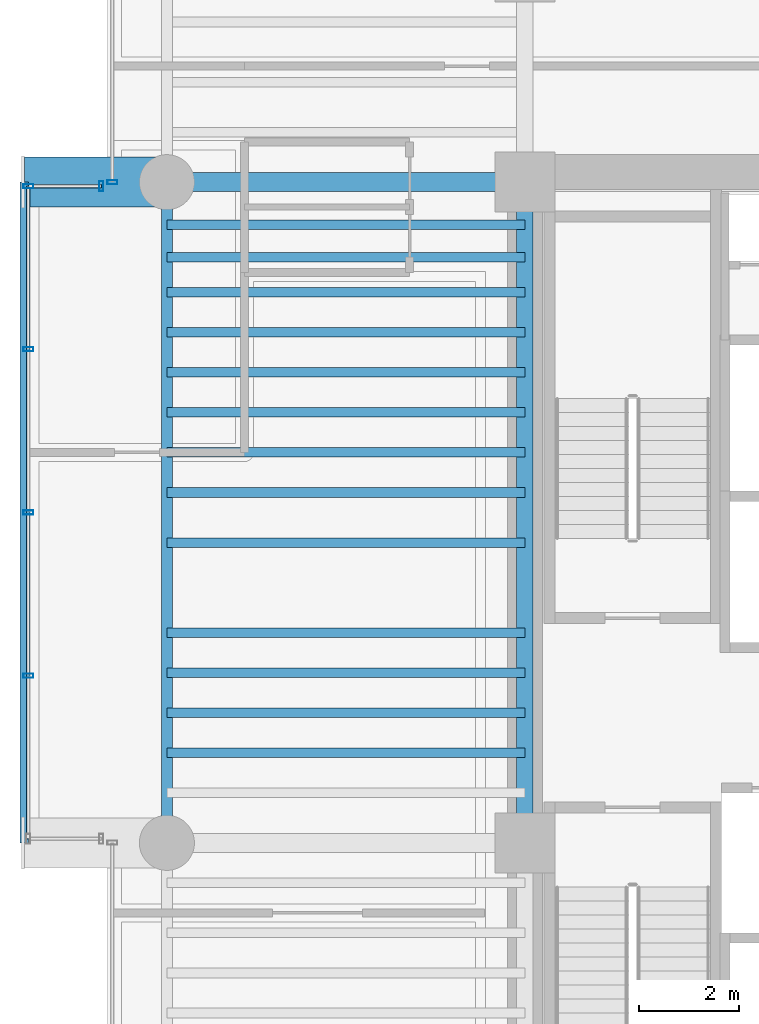
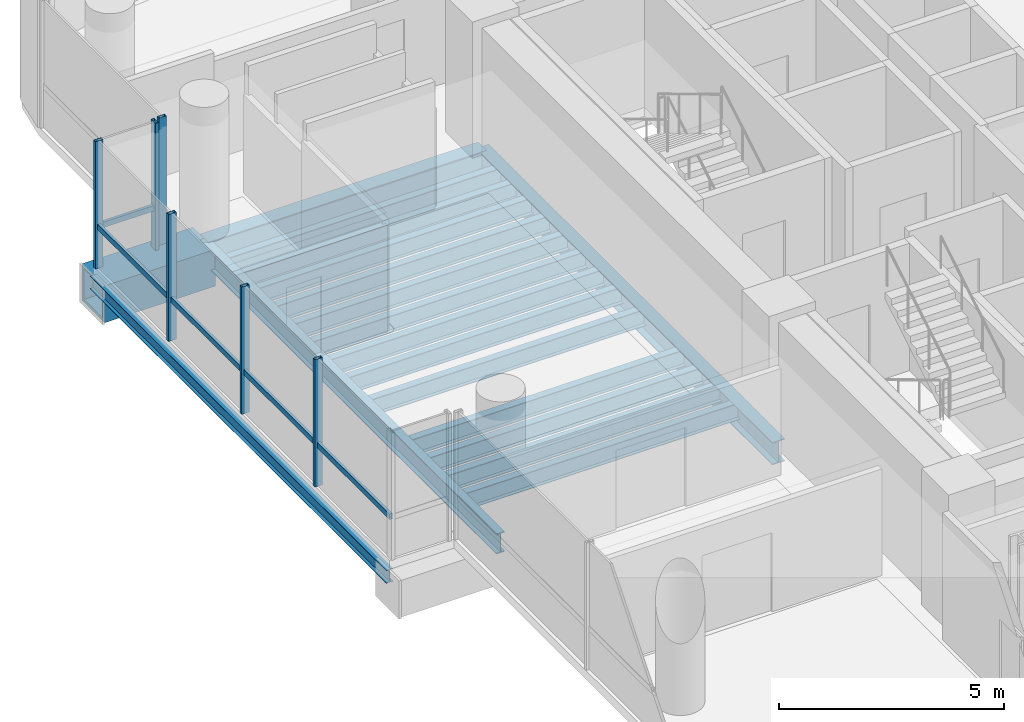
# One storey, part 7 of 34: 18 beams, 8 members, 3 elements without a shape of their own.
"""IFC4 building model written with IfcOpenShell, lengths in metres."""

from ifc_helpers import new_model, si_unit, direction, frame, origin, origin_2d, place, context, subcontext, project, spatial, hollow_rectangle, i_section, extrude, source, transform, mapped, material, material_profile, profile_set, type_object, element, aggregate, save


model = new_model("IFC4")

# Units and contexts
model_context = context("Model", 3, precision=1e-05, world=origin(), true_north=direction((0.0, 1.0)))
body_context = subcontext(model_context, "Body", "Model", "MODEL_VIEW")
ifc_project = project(units=[si_unit("LENGTHUNIT", "METRE"), si_unit("AREAUNIT", "SQUARE_METRE"), si_unit("VOLUMEUNIT", "CUBIC_METRE"), si_unit("PLANEANGLEUNIT", "RADIAN"), si_unit("MASSUNIT", "GRAM", prefix="KILO")], contexts=[model_context])

# Site, building, storey
site_placement = place(None, origin())
site = spatial("IfcSite", under=ifc_project, at=site_placement, CompositionType="ELEMENT")
building_placement = place(site_placement, origin())
building = spatial("IfcBuilding", under=site, at=building_placement, Name="Valdorenza Pilgrim Sanctuary Tower", CompositionType="ELEMENT")
storey_placement = place(building_placement, frame((0.0, 0.0, 146.39990234375)))
storey = spatial("IfcBuildingStorey", under=building, at=storey_placement, Name="L37", CompositionType="ELEMENT", Elevation=146.39990234375)

# Beams
ifc_material_1 = material(Name="Steel ASTM A992 Grade 50", Category="steel")
ifc_material_profile_1 = material_profile(ifc_material_1, i_section(OverallWidth=0.214111328125, OverallDepth=0.549072265625, WebThickness=0.0146484375, FlangeThickness=0.023681640625, at=origin_2d()), Name="W21X93")
ifc_profile_set_1 = profile_set([ifc_material_profile_1], Name="Steel ASTM A992 Grade 50")
beam_type_1 = type_object("IfcBeamType", Name="STR-BM-SPN-W21A", PredefinedType="SPANDREL", material=ifc_profile_set_1)
shared_shape_1 = source(origin(), body_context, "Body", "SweptSolid", [
    extrude(i_section(OverallWidth=0.214111328125, OverallDepth=0.549072265625, WebThickness=0.0146484375, FlangeThickness=0.023681640625, at=origin_2d()), origin(), (0.0, 0.0, 1.0), 13.2001953125),
])
beam_1_placement = place(storey_placement, frame((-29.800048828125, -2.60009765625, -0.514404296875), z_axis=(0.0, 1.0, 0.0), x_axis=(-1.0, 0.0, 0.0)))
element("IfcBeam", 1, at=beam_1_placement, inside=storey, type_object=beam_type_1, Name="L37 Spandrel Beam WA-W-M0N1", PredefinedType="SPANDREL", context=body_context, shape_type="MappedRepresentation", body=[
    mapped(shared_shape_1, transform((0.0, 0.0, 0.0), x_axis=(1.0, 0.0, 0.0), y_axis=(0.0, 1.0, 0.0), z_axis=(0.0, 0.0, 1.0), scale=1.0)),
])
ifc_material_profile_2 = material_profile(ifc_material_1, i_section(OverallWidth=0.323974609375, OverallDepth=0.611083984375, WebThickness=0.0126953125, FlangeThickness=0.01904296875, at=origin_2d()), Name="W24X104")
ifc_profile_set_2 = profile_set([ifc_material_profile_2], Name="Steel ASTM A992 Grade 50")
beam_type_2 = type_object("IfcBeamType", Name="STR-BM-GRD-W24B", PredefinedType="BEAM", material=ifc_profile_set_2)
shared_shape_2 = source(origin(), body_context, "Body", "SweptSolid", [
    extrude(i_section(OverallWidth=0.323974609375, OverallDepth=0.611083984375, WebThickness=0.0126953125, FlangeThickness=0.01904296875, at=origin_2d()), origin(), (0.0, 0.0, 1.0), 13.2001953125),
])
beam_2_placement = place(storey_placement, frame((-22.64990234375, -2.60009765625, -0.54541015625), z_axis=(0.0, 1.0, 0.0), x_axis=(-1.0, 0.0, 0.0)))
element("IfcBeam", 2, at=beam_2_placement, inside=storey, type_object=beam_type_2, Name="L37 Core Tie Girder CA-W-M0N1", PredefinedType="BEAM", context=body_context, shape_type="MappedRepresentation", body=[
    mapped(shared_shape_2, transform((0.0, 0.0, 0.0), x_axis=(1.0, 0.0, 0.0), y_axis=(0.0, 1.0, 0.0), z_axis=(0.0, 0.0, 1.0), scale=1.0)),
])
ifc_material_profile_3 = material_profile(ifc_material_1, i_section(OverallWidth=0.1708984375, OverallDepth=0.35107421875, WebThickness=0.0068359375, FlangeThickness=0.009765625, at=origin_2d()), Name="W14X30")
ifc_profile_set_3 = profile_set([ifc_material_profile_3], Name="Steel ASTM A992 Grade 50")
beam_type_3 = type_object("IfcBeamType", Name="STR-BM-BOX-W14", PredefinedType="BEAM", material=ifc_profile_set_3)
shared_shape_3 = source(origin(), body_context, "Body", "SweptSolid", [
    extrude(i_section(OverallWidth=0.1708984375, OverallDepth=0.35107421875, WebThickness=0.0068359375, FlangeThickness=0.009765625, at=origin_2d()), origin(), (0.0, 0.0, 1.0), 13.2001953125),
])
beam_3_placement = place(storey_placement, frame((-32.64990234375, -2.60009765625, -0.415283203125), z_axis=(0.0, 1.0, 0.0), x_axis=(-1.0, 0.0, 0.0)))
element("IfcBeam", 3, at=beam_3_placement, inside=storey, type_object=beam_type_3, Name="L37 Glass Box Edge Beam BOX-WA-L37-F", PredefinedType="BEAM", context=body_context, shape_type="MappedRepresentation", body=[
    mapped(shared_shape_3, transform((0.0, 0.0, 0.0), x_axis=(1.0, 0.0, 0.0), y_axis=(0.0, 1.0, 0.0), z_axis=(0.0, 0.0, 1.0), scale=1.0)),
])
ifc_material_profile_4 = material_profile(ifc_material_1, i_section(OverallWidth=0.382080078125, OverallDepth=0.779052734375, WebThickness=0.01806640625, FlangeThickness=0.030029296875, at=origin_2d()), Name="W30X191")
ifc_profile_set_4 = profile_set([ifc_material_profile_4], Name="Steel ASTM A992 Grade 50")
beam_type_4 = type_object("IfcBeamType", Name="STR-BM-GRD-W30", PredefinedType="BEAM", material=ifc_profile_set_4)
shared_shape_4 = source(origin(), body_context, "Body", "SweptSolid", [
    extrude(i_section(OverallWidth=0.382080078125, OverallDepth=0.779052734375, WebThickness=0.01806640625, FlangeThickness=0.030029296875, at=origin_2d()), origin(), (0.0, 0.0, 1.0), 7.150146484375),
])
beam_4_placement = place(storey_placement, frame((-29.800048828125, 10.60009765625, -0.62939453125), z_axis=(1.0, 0.0, 0.0), x_axis=(0.0, 1.0, 0.0)))
element("IfcBeam", 4, at=beam_4_placement, inside=storey, type_object=beam_type_4, Name="L37 Floor Girder WA-XW-N1", PredefinedType="BEAM", context=body_context, shape_type="MappedRepresentation", body=[
    mapped(shared_shape_4, transform((0.0, 0.0, 0.0), x_axis=(1.0, 0.0, 0.0), y_axis=(0.0, 1.0, 0.0), z_axis=(0.0, 0.0, 1.0), scale=1.0)),
])
ifc_material_profile_5 = material_profile(ifc_material_1, i_section(OverallWidth=0.19091796875, OverallDepth=0.45703125, WebThickness=0.009033203125, FlangeThickness=0.014404296875, at=origin_2d()), Name="W18X50")
ifc_profile_set_5 = profile_set([ifc_material_profile_5], Name="Steel ASTM A992 Grade 50")
beam_type_5 = type_object("IfcBeamType", Name="STR-BM-JST-W18B", PredefinedType="JOIST", material=ifc_profile_set_5)
shared_shape_5 = source(origin(), body_context, "Body", "SweptSolid", [
    extrude(i_section(OverallWidth=0.19091796875, OverallDepth=0.45703125, WebThickness=0.009033203125, FlangeThickness=0.014404296875, at=origin_2d()), origin(), (0.0, 0.0, 1.0), 7.150146484375),
])
for number, where, z_axis, x_axis, name in (
    (5, (-29.800048828125, -0.800048828125, -0.468505859375), (1.0, 0.0, 0.0), (0.0, 1.0, 0.0), "L37 Composite Floor Joist JST-WA-11"),
    (6, (-29.800048828125, 0.0, -0.468505859375), (1.0, 0.0, 0.0), (0.0, 1.0, 0.0), "L37 Composite Floor Joist JST-WA-12"),
    (7, (-29.800048828125, 0.800048828125, -0.468505859375), (1.0, 0.0, 0.0), (0.0, 1.0, 0.0), "L37 Composite Floor Joist JST-WA-13"),
    (8, (-29.800048828125, 1.60009765625, -0.468505859375), (1.0, 0.0, 0.0), (0.0, 1.0, 0.0), "L37 Composite Floor Joist JST-WA-14"),
    (9, (-29.800048828125, 3.39990234375, -0.468505859375), (1.0, 0.0, 0.0), (0.0, 1.0, 0.0), "L37 Composite Floor Joist JST-WA-15"),
    (10, (-29.800048828125, 4.39990234375, -0.468505859375), (1.0, 0.0, 0.0), (0.0, 1.0, 0.0), "L37 Composite Floor Joist JST-WA-16"),
    (11, (-29.800048828125, 5.199951171875, -0.468505859375), (1.0, 0.0, 0.0), (0.0, 1.0, 0.0), "L37 Composite Floor Joist JST-WA-17"),
    (12, (-29.800048828125, 6.0, -0.468505859375), (1.0, 0.0, 0.0), (0.0, 1.0, 0.0), "L37 Composite Floor Joist JST-WA-18"),
    (13, (-29.800048828125, 6.800048828125, -0.468505859375), (1.0, 0.0, 0.0), (0.0, 1.0, 0.0), "L37 Composite Floor Joist JST-WA-19"),
    (14, (-29.800048828125, 7.60009765625, -0.468505859375), (1.0, 0.0, 0.0), (0.0, 1.0, 0.0), "L37 Composite Floor Joist JST-WA-20"),
    (15, (-29.800048828125, 8.39990234375, -0.468505859375), (1.0, 0.0, 0.0), (0.0, 1.0, 0.0), "L37 Composite Floor Joist JST-WA-21"),
    (16, (-29.800048828125, 9.10009765625, -0.468505859375), (1.0, 0.0, 0.0), (0.0, 1.0, 0.0), "L37 Composite Floor Joist JST-WA-22"),
    (17, (-29.800048828125, 9.75, -0.468505859375), (1.0, 0.0, 0.0), (0.0, 1.0, 0.0), "L37 Composite Floor Joist JST-WA-23"),
):
    element("IfcBeam", number, at=place(storey_placement, frame(where, z_axis=z_axis, x_axis=x_axis)), inside=storey, type_object=beam_type_5, Name=name, PredefinedType="JOIST", context=body_context, shape_type="MappedRepresentation", body=[
        mapped(shared_shape_5, transform((0.0, 0.0, 0.0), x_axis=(1.0, 0.0, 0.0), y_axis=(0.0, 1.0, 0.0), z_axis=(0.0, 0.0, 1.0), scale=1.0)),
    ])
ifc_material_2 = material(Name="Steel ASTM A572 Grade 42", Category="steel")
ifc_material_profile_6 = material_profile(ifc_material_2, hollow_rectangle(XDim=1.0, YDim=1.0, WallThickness=0.080078125, at=origin_2d()), Name="BOX 1000x1000x80")
ifc_profile_set_6 = profile_set([ifc_material_profile_6], Name="Steel ASTM A572 Grade 42")
beam_type_6 = type_object("IfcBeamType", Name="STR-BM-PROW-CANT", PredefinedType="BEAM", material=ifc_profile_set_6)
shared_shape_6 = source(origin(), body_context, "Body", "SweptSolid", [
    extrude(hollow_rectangle(XDim=1.0, YDim=1.0, WallThickness=0.080078125, at=origin_2d()), origin(), (0.0, 0.0, 1.0), 2.849853515625),
])
beam_5_placement = place(storey_placement, frame((-29.800048828125, 10.60009765625, -0.739990234375), z_axis=(-1.0, 0.0, 0.0), x_axis=(0.0, -1.0, 0.0)))
element("IfcBeam", 18, at=beam_5_placement, inside=storey, type_object=beam_type_6, Name="L37 Glass Box Cantilever Beam BOX-WA-L37-CT-N", PredefinedType="BEAM", context=body_context, shape_type="MappedRepresentation", body=[
    mapped(shared_shape_6, transform((0.0, 0.0, 0.0), x_axis=(1.0, 0.0, 0.0), y_axis=(0.0, 1.0, 0.0), z_axis=(0.0, 0.0, 1.0), scale=1.0)),
])

# Curtain wall, member
ifc_material_3 = material(Name="Curtain-wall IGU glazing", Category="glass")
curtain_wall_type = type_object("IfcCurtainWallType", Name="CW-SYS-02", PredefinedType="NOTDEFINED", material=ifc_material_3)
curtain_wall_1_placement = place(storey_placement, origin())
curtain_wall_1 = element("IfcCurtainWall", 19, at=curtain_wall_1_placement, inside=storey, type_object=curtain_wall_type, Name="L37 Curtain Wall CW-L37-BOX-WA-L37-N", PredefinedType="NOTDEFINED")
ifc_material_4 = material(Name="Anodised aluminium AW-6060", Category="aluminium")
ifc_material_profile_7 = material_profile(ifc_material_4, hollow_rectangle(XDim=0.074951171875, YDim=0.14990234375, WallThickness=0.00390625, at=origin_2d()), Name="ALU-T 150x75x4")
ifc_profile_set_7 = profile_set([ifc_material_profile_7], Name="Anodised aluminium AW-6060")
member_type_1 = type_object("IfcMemberType", Name="CW-TRN-02", PredefinedType="USERDEFINED", material=ifc_profile_set_7)
shared_shape_7 = source(origin(), body_context, "Body", "SweptSolid", [
    extrude(hollow_rectangle(XDim=0.074951171875, YDim=0.14990234375, WallThickness=0.00390625, at=origin_2d()), origin(), (0.0, 0.0, 1.0), 1.4599609375),
])
member_1_placement = place(storey_placement, frame((-32.570068359375, 10.52001953125, 1.1201171875), z_axis=(1.0, 0.0, 0.0), x_axis=(0.0, 1.0, 0.0)))
member_1 = element("IfcMember", 20, at=member_1_placement, type_object=member_type_1, Name="CW-L37-BOX-WA-L37-N Transom 1", ObjectType="TRANSOM", PredefinedType="USERDEFINED", context=body_context, shape_type="MappedRepresentation", body=[
    mapped(shared_shape_7, transform((0.0, 0.0, 0.0), x_axis=(1.0, 0.0, 0.0), y_axis=(0.0, 1.0, 0.0), z_axis=(0.0, 0.0, 1.0), scale=1.0)),
])

curtain_wall_2_placement = place(storey_placement, origin())
curtain_wall_2 = element("IfcCurtainWall", 21, at=curtain_wall_2_placement, inside=storey, type_object=curtain_wall_type, Name="L37 Curtain Wall CW-L37-1-1S2", PredefinedType="NOTDEFINED")
ifc_material_profile_8 = material_profile(ifc_material_4, hollow_rectangle(XDim=0.0849609375, YDim=0.199951171875, WallThickness=0.0048828125, at=origin_2d()), Name="ALU-M 200x85x5")
ifc_profile_set_8 = profile_set([ifc_material_profile_8], Name="Anodised aluminium AW-6060")
member_type_2 = type_object("IfcMemberType", Name="CW-MUL-02", PredefinedType="MULLION", material=ifc_profile_set_8)
shared_shape_8 = source(origin(), body_context, "Body", "SweptSolid", [
    extrude(hollow_rectangle(XDim=0.0849609375, YDim=0.199951171875, WallThickness=0.0048828125, at=origin_2d()), origin(), (0.0, 0.0, 1.0), 3.460205078125),
])
member_2_placement = place(storey_placement, frame((-30.889892578125, 10.60009765625, 0.0), z_axis=(0.0, 0.0, 1.0), x_axis=(0.0, 1.0, 0.0)))
member_2 = element("IfcMember", 22, at=member_2_placement, type_object=member_type_2, Name="CW-L37-1-1S2 Mullion 1", PredefinedType="MULLION", context=body_context, shape_type="MappedRepresentation", body=[
    mapped(shared_shape_8, transform((0.0, 0.0, 0.0), x_axis=(1.0, 0.0, 0.0), y_axis=(0.0, 1.0, 0.0), z_axis=(0.0, 0.0, 1.0), scale=1.0)),
])
aggregate(curtain_wall_2, [member_2])

# Curtain wall, members
curtain_wall_3_placement = place(storey_placement, origin())
curtain_wall_3 = element("IfcCurtainWall", 23, at=curtain_wall_3_placement, inside=storey, type_object=curtain_wall_type, Name="L37 Curtain Wall CW-L37-BOX-WA-L37-F", PredefinedType="NOTDEFINED")
member_3_placement = place(storey_placement, frame((-32.570068359375, 0.739990234375, 0.0), z_axis=(0.0, 0.0, 1.0), x_axis=(0.0, 1.0, 0.0)))
member_3 = element("IfcMember", 24, at=member_3_placement, type_object=member_type_2, Name="CW-L37-BOX-WA-L37-F Mullion 2", PredefinedType="MULLION", context=body_context, shape_type="MappedRepresentation", body=[
    mapped(shared_shape_8, transform((0.0, 0.0, 0.0), x_axis=(1.0, 0.0, 0.0), y_axis=(0.0, 1.0, 0.0), z_axis=(0.0, 0.0, 1.0), scale=1.0)),
])
member_4_placement = place(storey_placement, frame((-32.570068359375, 4.0, 0.0), z_axis=(0.0, 0.0, 1.0), x_axis=(0.0, 1.0, 0.0)))
member_4 = element("IfcMember", 25, at=member_4_placement, type_object=member_type_2, Name="CW-L37-BOX-WA-L37-F Mullion 3", PredefinedType="MULLION", context=body_context, shape_type="MappedRepresentation", body=[
    mapped(shared_shape_8, transform((0.0, 0.0, 0.0), x_axis=(1.0, 0.0, 0.0), y_axis=(0.0, 1.0, 0.0), z_axis=(0.0, 0.0, 1.0), scale=1.0)),
])
member_5_placement = place(storey_placement, frame((-32.570068359375, 7.260009765625, 0.0), z_axis=(0.0, 0.0, 1.0), x_axis=(0.0, 1.0, 0.0)))
member_5 = element("IfcMember", 26, at=member_5_placement, type_object=member_type_2, Name="CW-L37-BOX-WA-L37-F Mullion 4", PredefinedType="MULLION", context=body_context, shape_type="MappedRepresentation", body=[
    mapped(shared_shape_8, transform((0.0, 0.0, 0.0), x_axis=(1.0, 0.0, 0.0), y_axis=(0.0, 1.0, 0.0), z_axis=(0.0, 0.0, 1.0), scale=1.0)),
])
member_6_placement = place(storey_placement, frame((-32.570068359375, 10.52001953125, 0.0), z_axis=(0.0, 0.0, 1.0), x_axis=(0.0, 1.0, 0.0)))
member_6 = element("IfcMember", 27, at=member_6_placement, type_object=member_type_2, Name="CW-L37-BOX-WA-L37-F Mullion 5", PredefinedType="MULLION", context=body_context, shape_type="MappedRepresentation", body=[
    mapped(shared_shape_8, transform((0.0, 0.0, 0.0), x_axis=(1.0, 0.0, 0.0), y_axis=(0.0, 1.0, 0.0), z_axis=(0.0, 0.0, 1.0), scale=1.0)),
])

# Member
member_7_placement = place(storey_placement, frame((-31.110107421875, 10.52001953125, 0.0), z_axis=(0.0, 0.0, 1.0), x_axis=(1.0, 0.0, 0.0)))
member_7 = element("IfcMember", 28, at=member_7_placement, type_object=member_type_2, Name="CW-L37-BOX-WA-L37-N Mullion 2", PredefinedType="MULLION", context=body_context, shape_type="MappedRepresentation", body=[
    mapped(shared_shape_8, transform((0.0, 0.0, 0.0), x_axis=(1.0, 0.0, 0.0), y_axis=(0.0, 1.0, 0.0), z_axis=(0.0, 0.0, 1.0), scale=1.0)),
])

aggregate(curtain_wall_1, [member_7, member_1])

shared_shape_9 = source(origin(), body_context, "Body", "SweptSolid", [
    extrude(hollow_rectangle(XDim=0.074951171875, YDim=0.14990234375, WallThickness=0.00390625, at=origin_2d()), origin(), (0.0, 0.0, 1.0), 13.0400390625),
])
member_8_placement = place(storey_placement, frame((-32.570068359375, -2.52001953125, 1.1201171875), z_axis=(0.0, 1.0, 0.0), x_axis=(-1.0, 0.0, 0.0)))
member_8 = element("IfcMember", 29, at=member_8_placement, type_object=member_type_1, Name="CW-L37-BOX-WA-L37-F Transom 1", ObjectType="TRANSOM", PredefinedType="USERDEFINED", context=body_context, shape_type="MappedRepresentation", body=[
    mapped(shared_shape_9, transform((0.0, 0.0, 0.0), x_axis=(1.0, 0.0, 0.0), y_axis=(0.0, 1.0, 0.0), z_axis=(0.0, 0.0, 1.0), scale=1.0)),
])

aggregate(curtain_wall_3, [member_3, member_4, member_5, member_6, member_8])

save(model, "model.ifc")
